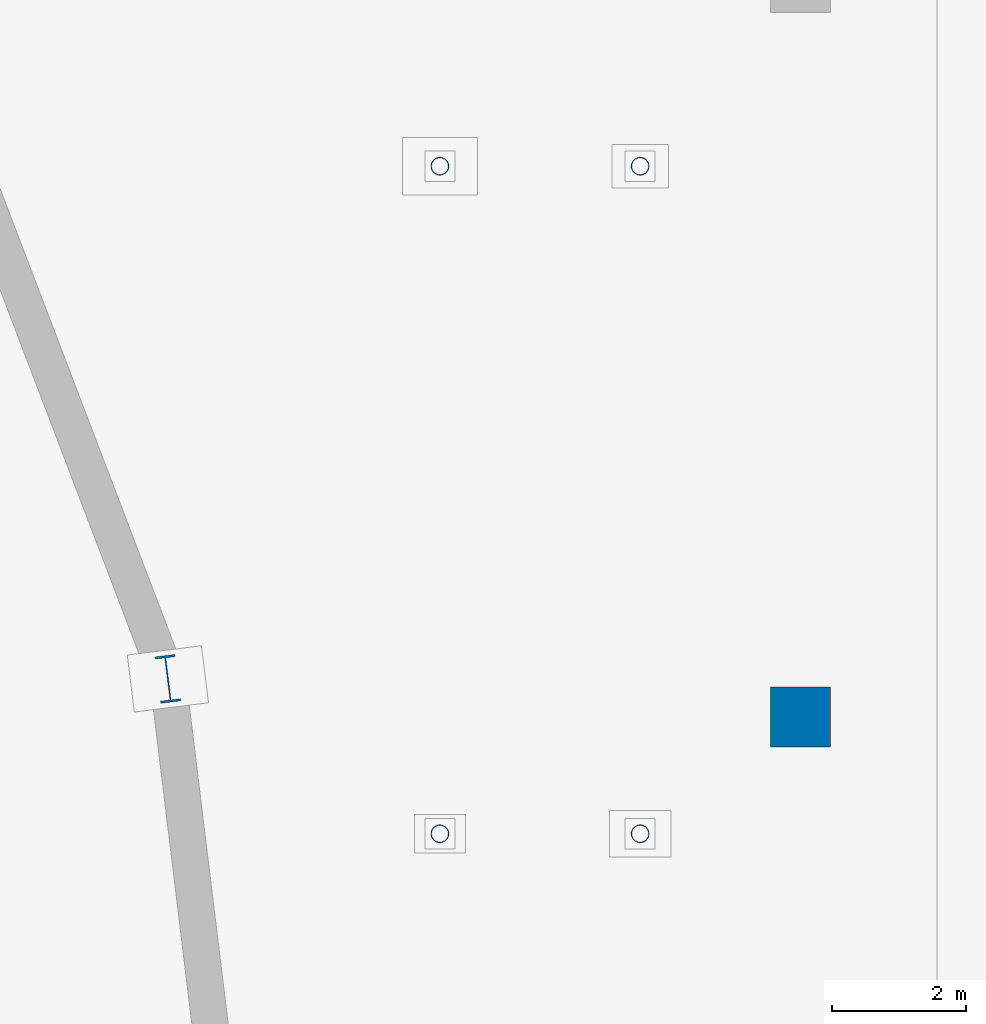
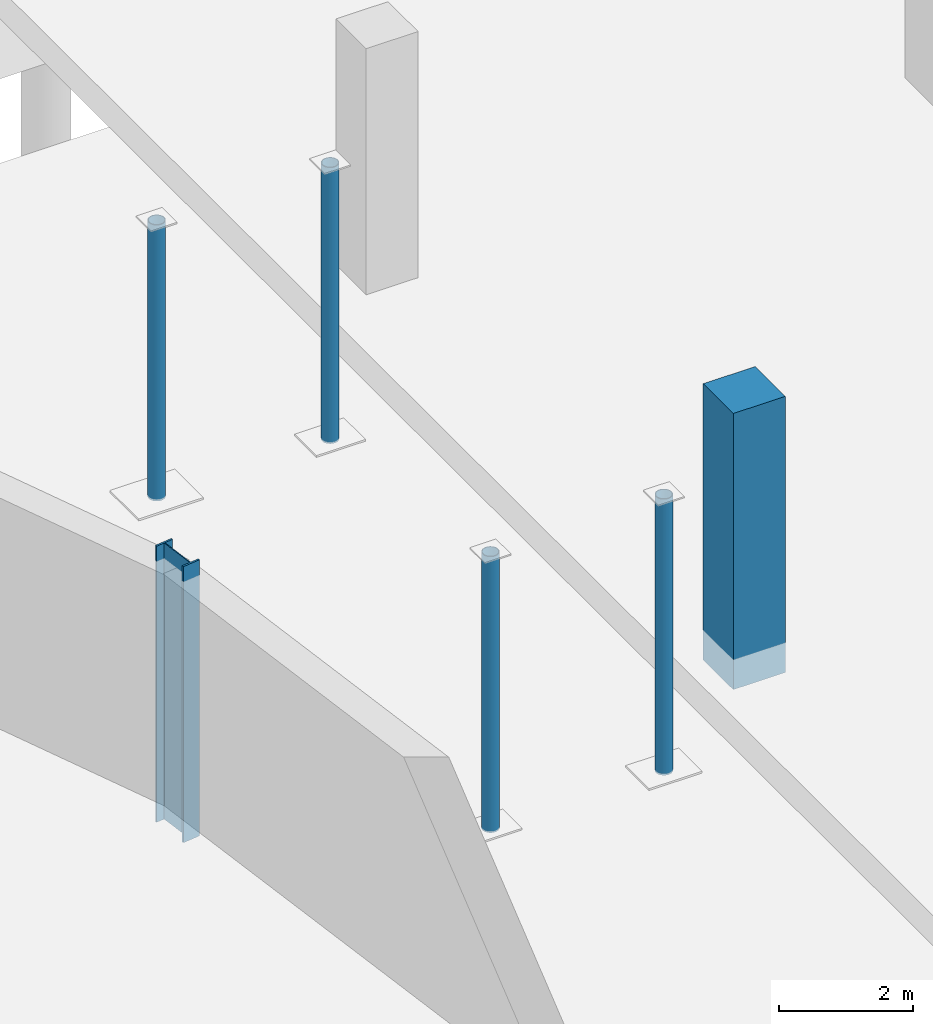
# One storey, part 31 of 55: 6 columns.
"""IFC4 building model written with IfcOpenShell, lengths in metres."""

from ifc_helpers import new_model, si_unit, direction, frame, origin, origin_2d, place, context, subcontext, project, spatial, rectangle, hollow_circle, i_section, extrude, material, material_profile, profile_set, type_object, element, save


model = new_model("IFC4")

# Units and contexts
model_context = context("Model", 3, precision=1e-05, world=origin(), true_north=direction((0.0, 1.0)))
body_context = subcontext(model_context, "Body", "Model", "MODEL_VIEW")
ifc_project = project(units=[si_unit("LENGTHUNIT", "METRE"), si_unit("AREAUNIT", "SQUARE_METRE"), si_unit("VOLUMEUNIT", "CUBIC_METRE"), si_unit("PLANEANGLEUNIT", "RADIAN"), si_unit("MASSUNIT", "GRAM", prefix="KILO")], contexts=[model_context])

# Site, building, storey
site_placement = place(None, origin())
site = spatial("IfcSite", under=ifc_project, at=site_placement, CompositionType="ELEMENT")
building_placement = place(site_placement, origin())
building = spatial("IfcBuilding", under=site, at=building_placement, Name="Sohan Crest Arena", CompositionType="ELEMENT")
storey_placement = place(building_placement, frame((0.0, 0.0, -4.5)))
storey = spatial("IfcBuildingStorey", under=building, at=storey_placement, Name="B1", CompositionType="ELEMENT", Elevation=-4.5)

# Columns
ifc_material_1 = material(Name="Concrete C40/50", Category="concrete")
ifc_material_profile_1 = material_profile(ifc_material_1, rectangle(XDim=0.89990234375, YDim=0.89990234375, at=origin_2d()), Name="RC 900x900")
ifc_profile_set_1 = profile_set([ifc_material_profile_1], Name="Concrete C40/50")
column_type_1 = type_object("IfcColumnType", Name="STR-COL-C07", PredefinedType="COLUMN", material=ifc_profile_set_1)
column_1_placement = place(storey_placement, frame((196.199951171875, 88.5, -0.550048828125), z_axis=(0.0, 0.0, 1.0), x_axis=(1.0, 0.0, 0.0)))
element("IfcColumn", 1, at=column_1_placement, inside=storey, type_object=column_type_1, Name="Structural column COL-V4G-W1-B1", PredefinedType="COLUMN", context=body_context, shape_type="SweptSolid", body=[
    extrude(rectangle(XDim=0.89990234375, YDim=0.89990234375, at=origin_2d()), origin(), (0.0, 0.0, 1.0), 5.050048828125),
])
ifc_material_2 = material(Name="Steel S355", Category="steel")
ifc_material_profile_2 = material_profile(ifc_material_2, i_section(OverallWidth=0.300048828125, OverallDepth=0.699951171875, WebThickness=0.01708984375, FlangeThickness=0.031982421875, at=origin_2d()), Name="HEB 700")
ifc_profile_set_2 = profile_set([ifc_material_profile_2], Name="Steel S355")
column_type_2 = type_object("IfcColumnType", Name="STR-COL-C21", PredefinedType="COLUMN", material=ifc_profile_set_2)
column_2_placement = place(storey_placement, frame((186.72509765625, 89.070068359375, -0.550048828125), z_axis=(0.0, 0.0, 1.0), x_axis=(0.992331937885, 0.12360147674, 0.0)))
element("IfcColumn", 2, at=column_2_placement, inside=storey, type_object=column_type_2, Name="Structural column COL-V2O-25-B1", PredefinedType="COLUMN", context=body_context, shape_type="SweptSolid", body=[
    extrude(i_section(OverallWidth=0.300048828125, OverallDepth=0.699951171875, WebThickness=0.01708984375, FlangeThickness=0.031982421875, at=origin_2d()), origin(), (0.0, 0.0, 1.0), 5.050048828125),
])
ifc_material_profile_3 = material_profile(ifc_material_2, hollow_circle(Radius=0.136474609375, WallThickness=0.012451171875, at=origin_2d()), Name="CHS 273x12.5")
ifc_profile_set_3 = profile_set([ifc_material_profile_3], Name="Steel S355")
column_type_3 = type_object("IfcColumnType", Name="STR-COL-C25", PredefinedType="COLUMN", material=ifc_profile_set_3)
for number, where, z_axis, x_axis, name in (
    (3, (190.800048828125, 86.75, -0.550048828125), (0.0, 0.0, 1.0), (1.0, 0.0, 0.0), "Structural column COL-BC-BR-E2-1-B1"),
    (4, (193.800048828125, 86.75, -0.550048828125), (0.0, 0.0, 1.0), (1.0, 0.0, 0.0), "Structural column COL-BC-BR-E2-2-B1"),
    (5, (190.800048828125, 96.75, -0.550048828125), (0.0, 0.0, 1.0), (1.0, 0.0, 0.0), "Structural column COL-BC-BR-E2-3-B1"),
    (6, (193.800048828125, 96.75, -0.550048828125), (0.0, 0.0, 1.0), (1.0, 0.0, 0.0), "Structural column COL-BC-BR-E2-4-B1"),
):
    element("IfcColumn", number, at=place(storey_placement, frame(where, z_axis=z_axis, x_axis=x_axis)), inside=storey, type_object=column_type_3, Name=name, PredefinedType="COLUMN", context=body_context, shape_type="SweptSolid", body=[
        extrude(hollow_circle(Radius=0.136474609375, WallThickness=0.012451171875, at=origin_2d()), origin(), (0.0, 0.0, 1.0), 5.050048828125),
    ])

save(model, "model.ifc")
